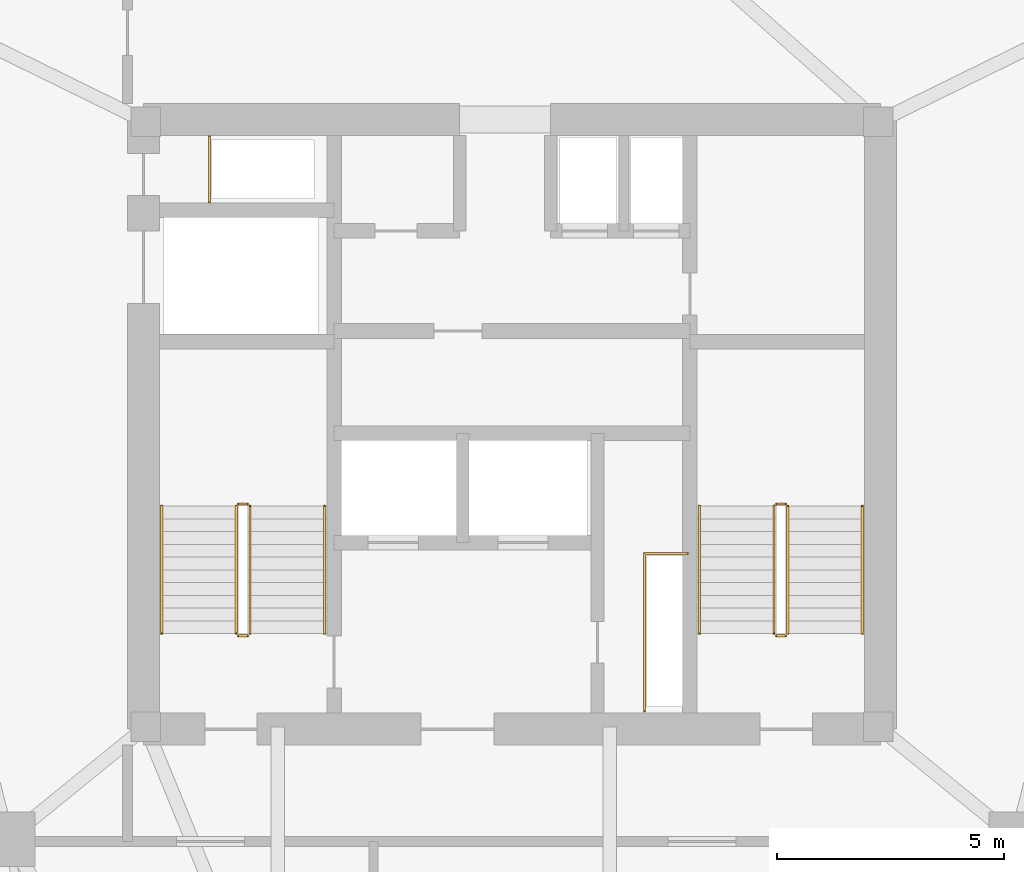
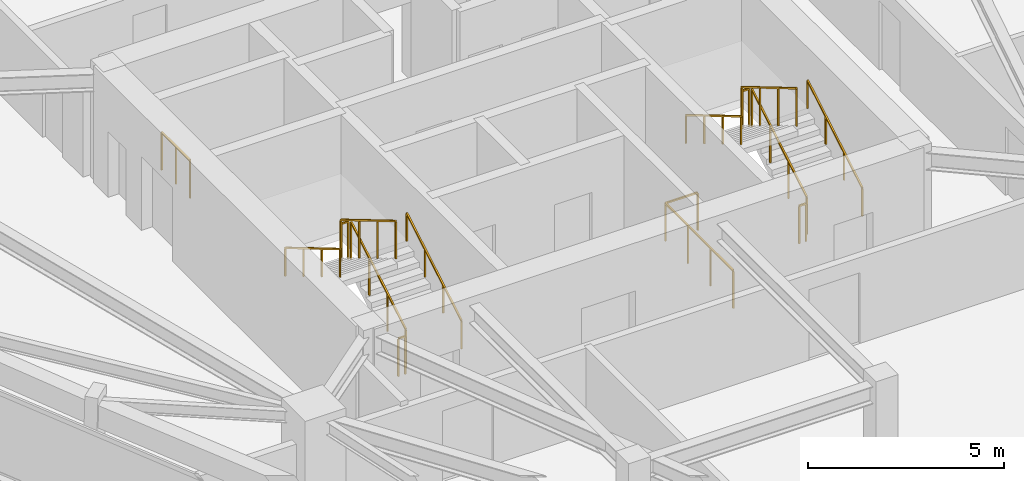
# One storey, part 10 of 10: 14 railings.
"""IFC4 building model written with IfcOpenShell, lengths in metres."""

import ifcopenshell
import ifcopenshell.guid

model = None  # the IFC model being written
_history = None  # IfcOwnerHistory: only IFC2X3 demands one
_inside = {}  # id of a spatial element -> (the spatial element, [elements in it])
_under = {}  # id of a project, library or spatial element -> (it, [spatial elements below it])
_declared = {}  # id of a project -> (the project, [libraries it declares])
_typed = {}  # id of a type object -> (the type object, [elements of that type])
_made_of = {}  # id of a material, layer set ... -> (it, [elements and type objects made of it])


def new_model(schema):
    """Start an empty IFC model of exactly this schema.

    Asked for "IFC4X3", IfcOpenShell would pick the latest addendum, in which some entities
    have other attributes; the version numbers below select the first issue.
    IFC2X3 requires an IfcOwnerHistory on every rooted entity: one is made here for all.
    """
    global model, _history
    if schema == "IFC4X3":
        model = ifcopenshell.file(schema_version=(4, 3, 0, 0))
    else:
        model = ifcopenshell.file(schema=schema)
    _inside.clear()
    _under.clear()
    _declared.clear()
    _typed.clear()
    _made_of.clear()
    _history = None
    if model.schema == "IFC2X3":
        org = make("IfcOrganization", Name="unknown")
        user = make(
            "IfcPersonAndOrganization",
            ThePerson=make("IfcPerson", FamilyName="unknown"),
            TheOrganization=org,
        )
        app = make(
            "IfcApplication",
            ApplicationDeveloper=org,
            Version="unknown",
            ApplicationFullName="unknown",
            ApplicationIdentifier="unknown",
        )
        _history = make(
            "IfcOwnerHistory",
            OwningUser=user,
            OwningApplication=app,
            ChangeAction="ADDED",
            CreationDate=0,
        )
    return model


def make(cls, **values):
    """One entity of the class cls with the attributes given. An attribute that is None is left unset."""
    return model.create_entity(
        cls, **{name: value for name, value in values.items() if value is not None}
    )


def rooted(cls, **values):
    """An entity with a GlobalId (a new one), such as an element, a storey or a relation."""
    return make(cls, GlobalId=ifcopenshell.guid.new(), OwnerHistory=_history, **values)


def si_unit(unit_type, name, prefix=None):
    """IfcSIUnit, for example si_unit("LENGTHUNIT", "METRE", prefix="MILLI")."""
    return make("IfcSIUnit", UnitType=unit_type, Prefix=prefix, Name=name)


def assignment(units):
    """IfcUnitAssignment: the units of a project."""
    return None if units is None else make("IfcUnitAssignment", Units=units)


def point(xyz):
    """IfcCartesianPoint."""
    return None if xyz is None else make("IfcCartesianPoint", Coordinates=xyz)


def direction(xyz):
    """IfcDirection."""
    return None if xyz is None else make("IfcDirection", DirectionRatios=xyz)


def frame(location, z_axis=None, x_axis=None):
    """IfcAxis2Placement3D, a coordinate frame: its origin and axes. An axis left out is left unset."""
    return make(
        "IfcAxis2Placement3D",
        Location=point(location),
        Axis=direction(z_axis),
        RefDirection=direction(x_axis),
    )


def frame_2d(location, x_axis=None):
    """IfcAxis2Placement2D, a coordinate frame in the plane: its origin and x axis."""
    return make(
        "IfcAxis2Placement2D", Location=point(location), RefDirection=direction(x_axis)
    )


def origin():
    """The frame at (0, 0, 0) with its axes left unset."""
    return frame((0.0, 0.0, 0.0))


def origin_2d():
    """The frame at (0, 0) in the plane with its x axis left unset."""
    return frame_2d((0.0, 0.0))


def place(relative_to, where):
    """IfcLocalPlacement: puts the frame where relative to a parent placement (None: the world)."""
    return make(
        "IfcLocalPlacement", PlacementRelTo=relative_to, RelativePlacement=where
    )


def context(
    kind, dimensions, precision=None, world=None, true_north=None, identifier=None
):
    """IfcGeometricRepresentationContext, for example the 3D "Model" context."""
    return make(
        "IfcGeometricRepresentationContext",
        ContextIdentifier=identifier,
        ContextType=kind,
        CoordinateSpaceDimension=dimensions,
        Precision=precision,
        WorldCoordinateSystem=world,
        TrueNorth=true_north,
    )


def subcontext(parent, identifier, kind, view, scale=None):
    """IfcGeometricRepresentationSubContext, for example "Body" below "Model"."""
    return make(
        "IfcGeometricRepresentationSubContext",
        ContextIdentifier=identifier,
        ContextType=kind,
        ParentContext=parent,
        TargetScale=scale,
        TargetView=view,
    )


def project(units=None, contexts=None):
    """IfcProject with its units and contexts."""
    return rooted(
        "IfcProject",
        Name="project",
        RepresentationContexts=contexts,
        UnitsInContext=assignment(units),
    )


def spatial(cls, under=None, at=None, **own):
    """A site, building, storey or space (cls), placed at a placement, below another one or the project."""
    s = rooted(cls, ObjectPlacement=at, **own)
    if under is not None:
        _under.setdefault(under.id(), (under, []))[1].append(s)
    return s


def profile(cls, at=None, kind="AREA", **sizes):
    """A parametric profile (cls). Its sizes go by their IFC names, for example OverallWidth=200.0."""
    return make(cls, ProfileType=kind, Position=at, **sizes)


def rectangle(**sizes):
    """IfcRectangleProfileDef."""
    return profile("IfcRectangleProfileDef", **sizes)


def extrude(swept, where, along, depth):
    """IfcExtrudedAreaSolid: the profile swept, set in the frame where, extruded along a direction by depth."""
    return make(
        "IfcExtrudedAreaSolid",
        SweptArea=swept,
        Position=where,
        ExtrudedDirection=direction(along),
        Depth=depth,
    )


def shape(context_of_items, identifier, shape_type, items):
    """IfcShapeRepresentation: the items that make up one representation, for example the "Body"."""
    return make(
        "IfcShapeRepresentation",
        ContextOfItems=context_of_items,
        RepresentationIdentifier=identifier,
        RepresentationType=shape_type,
        Items=items,
    )


def material(Name=None, Category=None):
    """IfcMaterial."""
    return make("IfcMaterial", Name=Name, Category=Category)


def made_of(thing, what):
    """Note that an element or type object is made of a material, layer set ...; save() writes the relation."""
    if what is not None:
        _made_of.setdefault(what.id(), (what, []))[1].append(thing)
    return thing


def type_object(cls, material=None, **own):
    """A type object (cls), such as IfcWallType, which elements share."""
    return made_of(rooted(cls, **own), material)


def element(
    cls,
    number,
    at=None,
    inside=None,
    cuts=None,
    type_object=None,
    material=None,
    context=None,
    identifier="Body",
    shape_type=None,
    held_by="IfcProductDefinitionShape",
    body=None,
    shapes=None,
    **own,
):
    """One element of the class cls, such as IfcWall. Its Tag is "e" and its number.

    at: its placement. inside: the storey or other place that contains it. cuts: it is an
    opening in that element (IfcRelVoidsElement). A single representation is given by context,
    identifier, shape_type and body (its items); several are given by shapes. held_by: the class
    of the entity that holds the representations. save() writes the other relations.
    """
    e = rooted(cls, Tag="e%d" % number, ObjectPlacement=at, **own)
    if body is not None:
        shapes = [shape(context, identifier, shape_type, body)]
    if shapes is not None:
        e.Representation = make(held_by, Representations=shapes)
    if inside is not None:
        _inside.setdefault(inside.id(), (inside, []))[1].append(e)
    if cuts is not None:
        rooted(
            "IfcRelVoidsElement", RelatingBuildingElement=cuts, RelatedOpeningElement=e
        )
    if type_object is not None:
        _typed.setdefault(type_object.id(), (type_object, []))[1].append(e)
    return made_of(e, material)


def aggregate(whole, parts):
    """IfcRelAggregates: a whole, such as a stair, and the parts it consists of."""
    return rooted("IfcRelAggregates", RelatingObject=whole, RelatedObjects=parts)


def save(model, path):
    """Write the relations noted so far, then the file.

    IfcRelAggregates (storeys below a building ...), IfcRelContainedInSpatialStructure (elements
    in a storey), IfcRelDefinesByType, IfcRelAssociatesMaterial and IfcRelDeclares: one each for
    every whole, place, type object, material and project.
    """
    for whole, parts in _under.values():
        aggregate(whole, parts)
    for where, things in _inside.values():
        rooted(
            "IfcRelContainedInSpatialStructure",
            RelatedElements=things,
            RelatingStructure=where,
        )
    for kind, things in _typed.values():
        rooted("IfcRelDefinesByType", RelatedObjects=things, RelatingType=kind)
    for what, things in _made_of.values():
        rooted("IfcRelAssociatesMaterial", RelatedObjects=things, RelatingMaterial=what)
    for by, libraries in _declared.values():
        rooted("IfcRelDeclares", RelatingContext=by, RelatedDefinitions=libraries)
    model.write(path)


model = new_model("IFC4")

# Units and contexts
model_context = context("Model", 3, precision=1e-05, world=origin(), true_north=direction((0.0, 1.0)))
body_context = subcontext(model_context, "Body", "Model", "MODEL_VIEW")
ifc_project = project(units=[si_unit("LENGTHUNIT", "METRE"), si_unit("AREAUNIT", "SQUARE_METRE"), si_unit("VOLUMEUNIT", "CUBIC_METRE"), si_unit("PLANEANGLEUNIT", "RADIAN"), si_unit("MASSUNIT", "GRAM", prefix="KILO")], contexts=[model_context])

# Site, building, storey
site_placement = place(None, origin())
site = spatial("IfcSite", under=ifc_project, at=site_placement, CompositionType="ELEMENT")
building_placement = place(site_placement, origin())
building = spatial("IfcBuilding", under=site, at=building_placement, Name="Talyreon Biosciences Tower", CompositionType="ELEMENT")
storey_placement = place(building_placement, frame((0.0, 0.0, 231.60009765625)))
storey = spatial("IfcBuildingStorey", under=building, at=storey_placement, Name="L61", CompositionType="ELEMENT", Elevation=231.60009765625)

# Railings
ifc_material_1 = material(Name="Brushed stainless-steel tubular handrail", Category="steel")
railing_type_1 = type_object("IfcRailingType", Name="StairWallHandrail_900", PredefinedType="HANDRAIL", material=ifc_material_1)
railing_1_placement = place(storey_placement, frame((61.8798828125, 63.39990234375, 0.165771484375)))
element("IfcRailing", 1, at=railing_1_placement, inside=storey, type_object=railing_type_1, Name="L61 ST-1 stair handrail 1", PredefinedType="HANDRAIL", context=body_context, shape_type="SweptSolid", body=[
    extrude(rectangle(XDim=0.048095703125, YDim=0.048095703125, at=origin_2d()), frame((0.0, 0.0, 0.8759765625), z_axis=(0.0, 0.860306154799, 0.50977771628), x_axis=(-1.0, 0.0, 0.0)), (0.0, 0.0, 1.0), 3.254638671875),
    extrude(rectangle(XDim=0.0419921875, YDim=0.0419921875, at=origin_2d()), origin(), (0.0, 0.0, 1.0), 0.851806640625),
    extrude(rectangle(XDim=0.0419921875, YDim=0.0419921875, at=origin_2d()), frame((0.0, 0.933349609375, 0.552978515625)), (0.0, 0.0, 1.0), 0.851806640625),
    extrude(rectangle(XDim=0.0419921875, YDim=0.0419921875, at=origin_2d()), frame((0.0, 1.86669921875, 1.106201171875)), (0.0, 0.0, 1.0), 0.851806640625),
    extrude(rectangle(XDim=0.0419921875, YDim=0.0419921875, at=origin_2d()), frame((0.0, 2.800048828125, 1.6591796875)), (0.0, 0.0, 1.0), 0.851806640625),
])
railing_2_placement = place(storey_placement, frame((58.300048828125, 66.199951171875, 1.99072265625)))
element("IfcRailing", 2, at=railing_2_placement, inside=storey, type_object=railing_type_1, Name="L61 ST-1 stair handrail 2", PredefinedType="HANDRAIL", context=body_context, shape_type="SweptSolid", body=[
    extrude(rectangle(XDim=0.048095703125, YDim=0.048095703125, at=origin_2d()), frame((0.0, 0.0, 0.8759765625), z_axis=(0.0, -0.860306154799, 0.50977771628), x_axis=(1.0, 0.0, 0.0)), (0.0, 0.0, 1.0), 3.254638671875),
    extrude(rectangle(XDim=0.0419921875, YDim=0.0419921875, at=origin_2d()), origin(), (0.0, 0.0, 1.0), 0.851806640625),
    extrude(rectangle(XDim=0.0419921875, YDim=0.0419921875, at=origin_2d()), frame((0.0, -0.933349609375, 0.552978515625)), (0.0, 0.0, 1.0), 0.851806640625),
    extrude(rectangle(XDim=0.0419921875, YDim=0.0419921875, at=origin_2d()), frame((0.0, -1.86669921875, 1.106201171875)), (0.0, 0.0, 1.0), 0.851806640625),
    extrude(rectangle(XDim=0.0419921875, YDim=0.0419921875, at=origin_2d()), frame((0.0, -2.800048828125, 1.6591796875)), (0.0, 0.0, 1.0), 0.851806640625),
])
railing_3_placement = place(storey_placement, frame((73.699951171875, 63.39990234375, 0.165771484375)))
element("IfcRailing", 3, at=railing_3_placement, inside=storey, type_object=railing_type_1, Name="L61 ST-2 stair handrail 1", PredefinedType="HANDRAIL", context=body_context, shape_type="SweptSolid", body=[
    extrude(rectangle(XDim=0.048095703125, YDim=0.048095703125, at=origin_2d()), frame((0.0, 0.0, 0.8759765625), z_axis=(0.0, 0.860306154799, 0.50977771628), x_axis=(-1.0, 0.0, 0.0)), (0.0, 0.0, 1.0), 3.254638671875),
    extrude(rectangle(XDim=0.0419921875, YDim=0.0419921875, at=origin_2d()), origin(), (0.0, 0.0, 1.0), 0.851806640625),
    extrude(rectangle(XDim=0.0419921875, YDim=0.0419921875, at=origin_2d()), frame((0.0, 0.933349609375, 0.552978515625)), (0.0, 0.0, 1.0), 0.851806640625),
    extrude(rectangle(XDim=0.0419921875, YDim=0.0419921875, at=origin_2d()), frame((0.0, 1.86669921875, 1.106201171875)), (0.0, 0.0, 1.0), 0.851806640625),
    extrude(rectangle(XDim=0.0419921875, YDim=0.0419921875, at=origin_2d()), frame((0.0, 2.800048828125, 1.6591796875)), (0.0, 0.0, 1.0), 0.851806640625),
])
railing_4_placement = place(storey_placement, frame((70.1201171875, 66.199951171875, 1.99072265625)))
element("IfcRailing", 4, at=railing_4_placement, inside=storey, type_object=railing_type_1, Name="L61 ST-2 stair handrail 2", PredefinedType="HANDRAIL", context=body_context, shape_type="SweptSolid", body=[
    extrude(rectangle(XDim=0.048095703125, YDim=0.048095703125, at=origin_2d()), frame((0.0, 0.0, 0.8759765625), z_axis=(0.0, -0.860306154799, 0.50977771628), x_axis=(1.0, 0.0, 0.0)), (0.0, 0.0, 1.0), 3.254638671875),
    extrude(rectangle(XDim=0.0419921875, YDim=0.0419921875, at=origin_2d()), origin(), (0.0, 0.0, 1.0), 0.851806640625),
    extrude(rectangle(XDim=0.0419921875, YDim=0.0419921875, at=origin_2d()), frame((0.0, -0.933349609375, 0.552978515625)), (0.0, 0.0, 1.0), 0.851806640625),
    extrude(rectangle(XDim=0.0419921875, YDim=0.0419921875, at=origin_2d()), frame((0.0, -1.86669921875, 1.106201171875)), (0.0, 0.0, 1.0), 0.851806640625),
    extrude(rectangle(XDim=0.0419921875, YDim=0.0419921875, at=origin_2d()), frame((0.0, -2.800048828125, 1.6591796875)), (0.0, 0.0, 1.0), 0.851806640625),
])
ifc_material_2 = material(Name="Painted galvanised steel post-and-rail balustrade", Category="steel")
railing_type_2 = type_object("IfcRailingType", Name="TerraceStairGuard_1200", PredefinedType="GUARDRAIL", material=ifc_material_2)
railing_5_placement = place(storey_placement, frame((60.239990234375, 63.39990234375, 0.165771484375)))
element("IfcRailing", 5, at=railing_5_placement, inside=storey, type_object=railing_type_2, Name="L61 ST-1 stair guard 1", PredefinedType="GUARDRAIL", context=body_context, shape_type="SweptSolid", body=[
    extrude(rectangle(XDim=0.048095703125, YDim=0.048095703125, at=origin_2d()), frame((0.0, 0.0, 1.17578125), z_axis=(0.0, 0.860306154799, 0.50977771628), x_axis=(-1.0, 0.0, 0.0)), (0.0, 0.0, 1.0), 3.254638671875),
    extrude(rectangle(XDim=0.0419921875, YDim=0.0419921875, at=origin_2d()), origin(), (0.0, 0.0, 1.0), 1.15185546875),
    extrude(rectangle(XDim=0.0419921875, YDim=0.0419921875, at=origin_2d()), frame((0.0, 0.933349609375, 0.552978515625)), (0.0, 0.0, 1.0), 1.15185546875),
    extrude(rectangle(XDim=0.0419921875, YDim=0.0419921875, at=origin_2d()), frame((0.0, 1.86669921875, 1.106201171875)), (0.0, 0.0, 1.0), 1.15185546875),
    extrude(rectangle(XDim=0.0419921875, YDim=0.0419921875, at=origin_2d()), frame((0.0, 2.800048828125, 1.6591796875)), (0.0, 0.0, 1.0), 1.15185546875),
])
railing_6_placement = place(storey_placement, frame((60.18994140625, 66.25, 1.824951171875)))
element("IfcRailing", 6, at=railing_6_placement, inside=storey, type_object=railing_type_2, Name="L61 ST-1 stair guard 2", PredefinedType="GUARDRAIL", context=body_context, shape_type="SweptSolid", body=[
    extrude(rectangle(XDim=0.048095703125, YDim=0.048095703125, at=origin_2d()), frame((0.0, 0.0, 1.17578125), z_axis=(-1.0, 0.0, 0.0), x_axis=(0.0, -1.0, 0.0)), (0.0, 0.0, 1.0), 0.199951171875),
    extrude(rectangle(XDim=0.0419921875, YDim=0.0419921875, at=origin_2d()), origin(), (0.0, 0.0, 1.0), 1.15185546875),
    extrude(rectangle(XDim=0.0419921875, YDim=0.0419921875, at=origin_2d()), frame((-0.199951171875, 0.0, 0.0)), (0.0, 0.0, 1.0), 1.15185546875),
])
railing_7_placement = place(storey_placement, frame((59.93994140625, 66.199951171875, 1.99072265625)))
element("IfcRailing", 7, at=railing_7_placement, inside=storey, type_object=railing_type_2, Name="L61 ST-1 stair guard 3", PredefinedType="GUARDRAIL", context=body_context, shape_type="SweptSolid", body=[
    extrude(rectangle(XDim=0.048095703125, YDim=0.048095703125, at=origin_2d()), frame((0.0, 0.0, 1.17578125), z_axis=(0.0, -0.860306154799, 0.50977771628), x_axis=(1.0, 0.0, 0.0)), (0.0, 0.0, 1.0), 3.254638671875),
    extrude(rectangle(XDim=0.0419921875, YDim=0.0419921875, at=origin_2d()), origin(), (0.0, 0.0, 1.0), 1.15185546875),
    extrude(rectangle(XDim=0.0419921875, YDim=0.0419921875, at=origin_2d()), frame((0.0, -0.933349609375, 0.552978515625)), (0.0, 0.0, 1.0), 1.15185546875),
    extrude(rectangle(XDim=0.0419921875, YDim=0.0419921875, at=origin_2d()), frame((0.0, -1.86669921875, 1.106201171875)), (0.0, 0.0, 1.0), 1.15185546875),
    extrude(rectangle(XDim=0.0419921875, YDim=0.0419921875, at=origin_2d()), frame((0.0, -2.800048828125, 1.6591796875)), (0.0, 0.0, 1.0), 1.15185546875),
])
railing_8_placement = place(storey_placement, frame((60.18994140625, 63.35009765625, 0.0)))
element("IfcRailing", 8, at=railing_8_placement, inside=storey, type_object=railing_type_2, Name="L61 ST-1 stair guard 4", PredefinedType="GUARDRAIL", context=body_context, shape_type="SweptSolid", body=[
    extrude(rectangle(XDim=0.048095703125, YDim=0.048095703125, at=origin_2d()), frame((0.0, 0.0, 1.17578125), z_axis=(-1.0, 0.0, 0.0), x_axis=(0.0, -1.0, 0.0)), (0.0, 0.0, 1.0), 0.199951171875),
    extrude(rectangle(XDim=0.0419921875, YDim=0.0419921875, at=origin_2d()), origin(), (0.0, 0.0, 1.0), 1.15185546875),
    extrude(rectangle(XDim=0.0419921875, YDim=0.0419921875, at=origin_2d()), frame((-0.199951171875, 0.0, 0.0)), (0.0, 0.0, 1.0), 1.15185546875),
])
railing_9_placement = place(storey_placement, frame((72.06005859375, 63.39990234375, 0.165771484375)))
element("IfcRailing", 9, at=railing_9_placement, inside=storey, type_object=railing_type_2, Name="L61 ST-2 stair guard 1", PredefinedType="GUARDRAIL", context=body_context, shape_type="SweptSolid", body=[
    extrude(rectangle(XDim=0.048095703125, YDim=0.048095703125, at=origin_2d()), frame((0.0, 0.0, 1.17578125), z_axis=(0.0, 0.860306154799, 0.50977771628), x_axis=(-1.0, 0.0, 0.0)), (0.0, 0.0, 1.0), 3.254638671875),
    extrude(rectangle(XDim=0.0419921875, YDim=0.0419921875, at=origin_2d()), origin(), (0.0, 0.0, 1.0), 1.15185546875),
    extrude(rectangle(XDim=0.0419921875, YDim=0.0419921875, at=origin_2d()), frame((0.0, 0.933349609375, 0.552978515625)), (0.0, 0.0, 1.0), 1.15185546875),
    extrude(rectangle(XDim=0.0419921875, YDim=0.0419921875, at=origin_2d()), frame((0.0, 1.86669921875, 1.106201171875)), (0.0, 0.0, 1.0), 1.15185546875),
    extrude(rectangle(XDim=0.0419921875, YDim=0.0419921875, at=origin_2d()), frame((0.0, 2.800048828125, 1.6591796875)), (0.0, 0.0, 1.0), 1.15185546875),
])
railing_10_placement = place(storey_placement, frame((72.010009765625, 66.25, 1.824951171875)))
element("IfcRailing", 10, at=railing_10_placement, inside=storey, type_object=railing_type_2, Name="L61 ST-2 stair guard 2", PredefinedType="GUARDRAIL", context=body_context, shape_type="SweptSolid", body=[
    extrude(rectangle(XDim=0.048095703125, YDim=0.048095703125, at=origin_2d()), frame((0.0, 0.0, 1.17578125), z_axis=(-1.0, 0.0, 0.0), x_axis=(0.0, -1.0, 0.0)), (0.0, 0.0, 1.0), 0.199951171875),
    extrude(rectangle(XDim=0.0419921875, YDim=0.0419921875, at=origin_2d()), origin(), (0.0, 0.0, 1.0), 1.15185546875),
    extrude(rectangle(XDim=0.0419921875, YDim=0.0419921875, at=origin_2d()), frame((-0.199951171875, 0.0, 0.0)), (0.0, 0.0, 1.0), 1.15185546875),
])
railing_11_placement = place(storey_placement, frame((71.760009765625, 66.199951171875, 1.99072265625)))
element("IfcRailing", 11, at=railing_11_placement, inside=storey, type_object=railing_type_2, Name="L61 ST-2 stair guard 3", PredefinedType="GUARDRAIL", context=body_context, shape_type="SweptSolid", body=[
    extrude(rectangle(XDim=0.048095703125, YDim=0.048095703125, at=origin_2d()), frame((0.0, 0.0, 1.17578125), z_axis=(0.0, -0.860306154799, 0.50977771628), x_axis=(1.0, 0.0, 0.0)), (0.0, 0.0, 1.0), 3.254638671875),
    extrude(rectangle(XDim=0.0419921875, YDim=0.0419921875, at=origin_2d()), origin(), (0.0, 0.0, 1.0), 1.15185546875),
    extrude(rectangle(XDim=0.0419921875, YDim=0.0419921875, at=origin_2d()), frame((0.0, -0.933349609375, 0.552978515625)), (0.0, 0.0, 1.0), 1.15185546875),
    extrude(rectangle(XDim=0.0419921875, YDim=0.0419921875, at=origin_2d()), frame((0.0, -1.86669921875, 1.106201171875)), (0.0, 0.0, 1.0), 1.15185546875),
    extrude(rectangle(XDim=0.0419921875, YDim=0.0419921875, at=origin_2d()), frame((0.0, -2.800048828125, 1.6591796875)), (0.0, 0.0, 1.0), 1.15185546875),
])
railing_12_placement = place(storey_placement, frame((72.010009765625, 63.35009765625, 0.0)))
element("IfcRailing", 12, at=railing_12_placement, inside=storey, type_object=railing_type_2, Name="L61 ST-2 stair guard 4", PredefinedType="GUARDRAIL", context=body_context, shape_type="SweptSolid", body=[
    extrude(rectangle(XDim=0.048095703125, YDim=0.048095703125, at=origin_2d()), frame((0.0, 0.0, 1.17578125), z_axis=(-1.0, 0.0, 0.0), x_axis=(0.0, -1.0, 0.0)), (0.0, 0.0, 1.0), 0.199951171875),
    extrude(rectangle(XDim=0.0419921875, YDim=0.0419921875, at=origin_2d()), origin(), (0.0, 0.0, 1.0), 1.15185546875),
    extrude(rectangle(XDim=0.0419921875, YDim=0.0419921875, at=origin_2d()), frame((-0.199951171875, 0.0, 0.0)), (0.0, 0.0, 1.0), 1.15185546875),
])
railing_13_placement = place(storey_placement, frame((59.35009765625, 72.8798828125, 0.0)))
element("IfcRailing", 13, at=railing_13_placement, inside=storey, type_object=railing_type_2, Name="L61 Exhaust Riser Maintenance Guardrail", PredefinedType="GUARDRAIL", context=body_context, shape_type="SweptSolid", body=[
    extrude(rectangle(XDim=0.048095703125, YDim=0.048095703125, at=origin_2d()), frame((0.0, 0.0, 1.17578125), z_axis=(0.0, 1.0, 0.0), x_axis=(-1.0, 0.0, 0.0)), (0.0, 0.0, 1.0), 1.4501953125),
    extrude(rectangle(XDim=0.0419921875, YDim=0.0419921875, at=origin_2d()), origin(), (0.0, 0.0, 1.0), 1.15185546875),
    extrude(rectangle(XDim=0.0419921875, YDim=0.0419921875, at=origin_2d()), frame((0.0, 0.72509765625, 0.0)), (0.0, 0.0, 1.0), 1.15185546875),
    extrude(rectangle(XDim=0.0419921875, YDim=0.0419921875, at=origin_2d()), frame((0.0, 1.4501953125, 0.0)), (0.0, 0.0, 1.0), 1.15185546875),
])
railing_14_placement = place(storey_placement, frame((68.909912109375, 61.699951171875, 0.0)))
element("IfcRailing", 14, at=railing_14_placement, inside=storey, type_object=railing_type_2, Name="L61 Electrical Riser Maintenance Guardrail", PredefinedType="GUARDRAIL", context=body_context, shape_type="SweptSolid", body=[
    extrude(rectangle(XDim=0.048095703125, YDim=0.048095703125, at=origin_2d()), frame((0.0, 0.0, 1.17578125), z_axis=(0.0, 1.0, 0.0), x_axis=(-1.0, 0.0, 0.0)), (0.0, 0.0, 1.0), 3.4599609375),
    extrude(rectangle(XDim=0.048095703125, YDim=0.048095703125, at=origin_2d()), frame((0.0, 3.4599609375, 1.17578125), z_axis=(1.0, 0.0, 0.0), x_axis=(0.0, 1.0, 0.0)), (0.0, 0.0, 1.0), 0.9501953125),
    extrude(rectangle(XDim=0.0419921875, YDim=0.0419921875, at=origin_2d()), origin(), (0.0, 0.0, 1.0), 1.15185546875),
    extrude(rectangle(XDim=0.0419921875, YDim=0.0419921875, at=origin_2d()), frame((0.0, 1.1533203125, 0.0)), (0.0, 0.0, 1.0), 1.15185546875),
    extrude(rectangle(XDim=0.0419921875, YDim=0.0419921875, at=origin_2d()), frame((0.0, 2.306640625, 0.0)), (0.0, 0.0, 1.0), 1.15185546875),
    extrude(rectangle(XDim=0.0419921875, YDim=0.0419921875, at=origin_2d()), frame((0.0, 3.4599609375, 0.0)), (0.0, 0.0, 1.0), 1.15185546875),
    extrude(rectangle(XDim=0.0419921875, YDim=0.0419921875, at=origin_2d()), frame((0.9501953125, 3.4599609375, 0.0)), (0.0, 0.0, 1.0), 1.15185546875),
])

save(model, "model.ifc")
